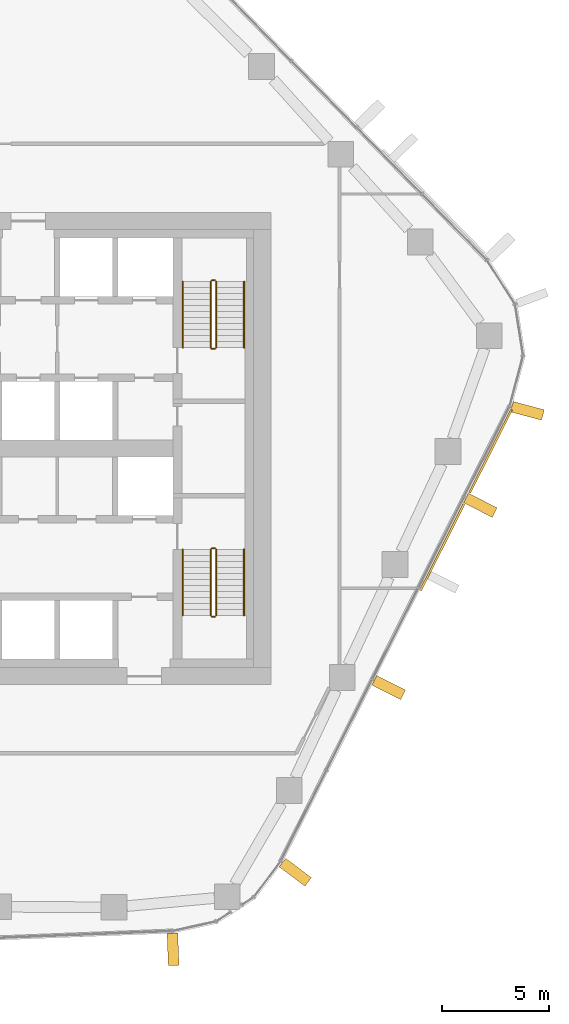
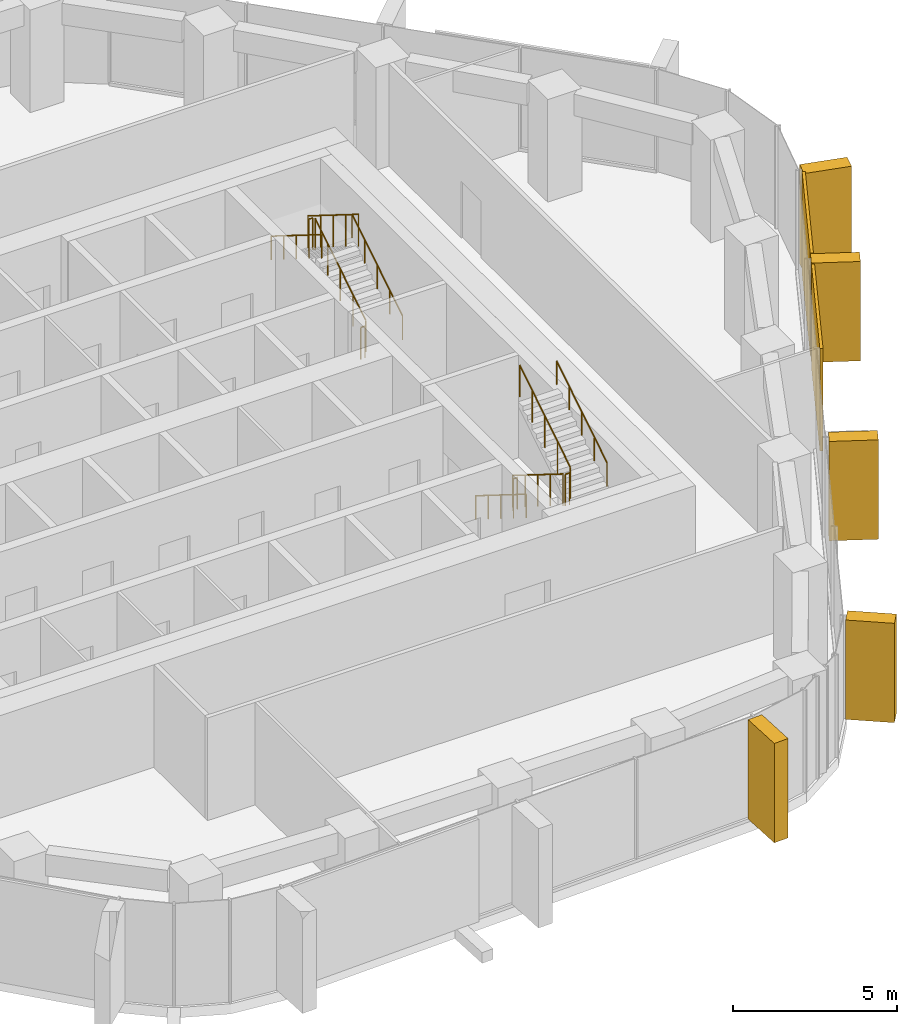
# One storey, part 17 of 18: 12 railings, 7 coverings, 4 elements without a shape of their own.
"""IFC4 building model written with IfcOpenShell, lengths in metres."""

from ifc_helpers import new_model, si_unit, direction, frame, origin, origin_2d, place, context, subcontext, project, spatial, rectangle, circle, extrude, material, layer, layer_set, material_profile, profile_set, type_object, element, aggregate, save


model = new_model("IFC4")

# Units and contexts
model_context = context("Model", 3, precision=1e-05, world=origin(), true_north=direction((0.0, 1.0)))
body_context = subcontext(model_context, "Body", "Model", "MODEL_VIEW")
ifc_project = project(units=[si_unit("LENGTHUNIT", "METRE"), si_unit("AREAUNIT", "SQUARE_METRE"), si_unit("VOLUMEUNIT", "CUBIC_METRE"), si_unit("PLANEANGLEUNIT", "RADIAN"), si_unit("MASSUNIT", "GRAM", prefix="KILO")], contexts=[model_context])

# Site, building, storey
site_placement = place(None, origin())
site = spatial("IfcSite", under=ifc_project, at=site_placement, CompositionType="ELEMENT")
building_placement = place(site_placement, origin())
building = spatial("IfcBuilding", under=site, at=building_placement, Name="Dongbaek Canopy Tower", CompositionType="ELEMENT")
storey_placement = place(building_placement, frame((0.0, 0.0, 203.0)))
storey = spatial("IfcBuildingStorey", under=building, at=storey_placement, Name="L42", CompositionType="ELEMENT", Elevation=203.0)

# Curtain wall, coverings
ifc_material_1 = material(Name="Aluminium 6063-T6 pale anodised", Category="aluminium")
ifc_layer_1 = layer(ifc_material_1, 0.199951171875)
ifc_layer_set_1 = layer_set([ifc_layer_1], Name="CW-1 unitised tower curtain wall")
curtain_wall_type = type_object("IfcCurtainWallType", Name="CW-1 unitised tower curtain wall", PredefinedType="NOTDEFINED", material=ifc_layer_set_1)
curtain_wall_1_placement = place(storey_placement, origin())
curtain_wall_1 = element("IfcCurtainWall", 1, at=curtain_wall_1_placement, inside=storey, type_object=curtain_wall_type, Name="CW-1 curtain wall F5.1", PredefinedType="NOTDEFINED")
ifc_material_2 = material(Name="Perforated aluminium 6063-T6 pale metal screen", Category="aluminium")
ifc_layer_2 = layer(ifc_material_2, 0.10009765625)
ifc_layer_set_2 = layer_set([ifc_layer_2], Name="Facet screen FS1 100 pale metal")
covering_type_1 = type_object("IfcCoveringType", Name="Facet screen FS1 100 pale metal", PredefinedType="CLADDING", material=ifc_layer_set_2)
covering_1_placement = place(storey_placement, frame((21.98681640625, -4.601806640625, 0.0), z_axis=(0.0, 0.0, 1.0), x_axis=(0.449498300694, 0.89328118623, 0.0)))
covering_1 = element("IfcCovering", 2, at=covering_1_placement, type_object=covering_type_1, Name="Facet screen L42 F5", PredefinedType="CLADDING", context=body_context, shape_type="SweptSolid", body=[
    extrude(rectangle(XDim=4.511474609375, YDim=0.10009765625, at=origin_2d()), origin(), (0.0, 0.0, 1.0), 3.820068359375),
])
covering_2_placement = place(storey_placement, frame((24.23583984375, -0.132080078125, 0.0), z_axis=(0.0, 0.0, 1.0), x_axis=(0.449498300694, 0.89328118623, 0.0)))
covering_2 = element("IfcCovering", 3, at=covering_2_placement, type_object=covering_type_1, Name="Facet screen L42 F5", PredefinedType="CLADDING", context=body_context, shape_type="SweptSolid", body=[
    extrude(rectangle(XDim=4.33544921875, YDim=0.10009765625, at=origin_2d()), origin(), (0.0, 0.0, 1.0), 3.820068359375),
])

# Curtain wall, covering
curtain_wall_2_placement = place(storey_placement, origin())
curtain_wall_2 = element("IfcCurtainWall", 4, at=curtain_wall_2_placement, inside=storey, type_object=curtain_wall_type, Name="CW-1 curtain wall K0.1", PredefinedType="NOTDEFINED")
ifc_material_3 = material(Name="Aluminium 6063-T6 pale metal fin", Category="aluminium")
ifc_material_profile = material_profile(ifc_material_3, rectangle(XDim=1.5, YDim=0.5, at=origin_2d()), Name="Fin FN1 500 x 1500 pale metal")
ifc_profile_set = profile_set([ifc_material_profile], Name="Aluminium 6063-T6 pale metal fin")
covering_type_2 = type_object("IfcCoveringType", Name="Fin FN1 500 x 1500 pale metal", PredefinedType="CLADDING", material=ifc_profile_set)
covering_3_placement = place(storey_placement, frame((25.953125, 1.7548828125, 0.1201171875), z_axis=(0.0, 0.0, 1.0), x_axis=(0.966599210412, -0.256292735815, 0.0)))
covering_3 = element("IfcCovering", 5, at=covering_3_placement, type_object=covering_type_2, Name="Fin K0.1.1", PredefinedType="CLADDING", context=body_context, shape_type="SweptSolid", body=[
    extrude(rectangle(XDim=1.5, YDim=0.5, at=origin_2d()), origin(), (0.0, 0.0, 1.0), 3.699951171875),
])
aggregate(curtain_wall_2, [covering_3])

curtain_wall_3_placement = place(storey_placement, origin())
curtain_wall_3 = element("IfcCurtainWall", 6, at=curtain_wall_3_placement, inside=storey, type_object=curtain_wall_type, Name="CW-1 curtain wall F4.1", PredefinedType="NOTDEFINED")
covering_4_placement = place(storey_placement, frame((9.44384765625, -23.331787109375, 0.1201171875), z_axis=(0.0, 0.0, 1.0), x_axis=(0.039275850271, -0.999228406114, 0.0)))
covering_4 = element("IfcCovering", 7, at=covering_4_placement, type_object=covering_type_2, Name="Fin F4.1.5", PredefinedType="CLADDING", context=body_context, shape_type="SweptSolid", body=[
    extrude(rectangle(XDim=1.5, YDim=0.5, at=origin_2d()), origin(), (0.0, 0.0, 1.0), 3.699951171875),
])
aggregate(curtain_wall_3, [covering_4])

curtain_wall_4_placement = place(storey_placement, origin())
curtain_wall_4 = element("IfcCurtainWall", 8, at=curtain_wall_4_placement, inside=storey, type_object=curtain_wall_type, Name="CW-1 curtain wall K5.1b", PredefinedType="NOTDEFINED")
covering_5_placement = place(storey_placement, frame((15.141845703125, -19.740966796875, 0.1201171875), z_axis=(0.0, 0.0, 1.0), x_axis=(0.799847450352, -0.60020334568, 0.0)))
covering_5 = element("IfcCovering", 9, at=covering_5_placement, type_object=covering_type_2, Name="Fin K5.1b.3", PredefinedType="CLADDING", context=body_context, shape_type="SweptSolid", body=[
    extrude(rectangle(XDim=1.5, YDim=0.5, at=origin_2d()), origin(), (0.0, 0.0, 1.0), 3.699951171875),
])
aggregate(curtain_wall_4, [covering_5])

# Covering
covering_6_placement = place(storey_placement, frame((19.488525390625, -11.13232421875, 0.1201171875), z_axis=(0.0, 0.0, 1.0), x_axis=(0.893280880274, -0.449498908716, 0.0)))
covering_6 = element("IfcCovering", 10, at=covering_6_placement, type_object=covering_type_2, Name="Fin F5.1.3", PredefinedType="CLADDING", context=body_context, shape_type="SweptSolid", body=[
    extrude(rectangle(XDim=1.5, YDim=0.5, at=origin_2d()), origin(), (0.0, 0.0, 1.0), 3.699951171875),
])

covering_7_placement = place(storey_placement, frame((23.760009765625, -2.64404296875, 0.1201171875), z_axis=(0.0, 0.0, 1.0), x_axis=(0.893280880274, -0.449498908716, 0.0)))
covering_7 = element("IfcCovering", 11, at=covering_7_placement, type_object=covering_type_2, Name="Fin F5.1.5", PredefinedType="CLADDING", context=body_context, shape_type="SweptSolid", body=[
    extrude(rectangle(XDim=1.5, YDim=0.5, at=origin_2d()), origin(), (0.0, 0.0, 1.0), 3.699951171875),
])

aggregate(curtain_wall_1, [covering_6, covering_7, covering_1, covering_2])

# Railings
ifc_material_4 = material(Name="Stainless steel tube and balusters", Category="steel")
railing_type_1 = type_object("IfcRailingType", Name="Stair guard 1200", PredefinedType="GUARDRAIL", material=ifc_material_4)
railing_1_placement = place(storey_placement, frame((11.449951171875, 4.699951171875, 0.175048828125)))
element("IfcRailing", 12, at=railing_1_placement, inside=storey, type_object=railing_type_1, Name="L42 ST-A stair guard 1", PredefinedType="GUARDRAIL", context=body_context, shape_type="SweptSolid", body=[
    extrude(circle(Radius=0.02392578125, at=origin_2d()), frame((0.0, 0.0, 1.17578125), z_axis=(0.0, 0.847998304005, 0.529998940003), x_axis=(-1.0, 0.0, 0.0)), (0.0, 0.0, 1.0), 3.632080078125),
    extrude(circle(Radius=0.02099609375, at=origin_2d()), origin(), (0.0, 0.0, 1.0), 1.15185546875),
    extrude(circle(Radius=0.02099609375, at=origin_2d()), frame((0.0, 0.77001953125, 0.481201171875)), (0.0, 0.0, 1.0), 1.15185546875),
    extrude(circle(Radius=0.02099609375, at=origin_2d()), frame((0.0, 1.5400390625, 0.96240234375)), (0.0, 0.0, 1.0), 1.15185546875),
    extrude(circle(Radius=0.02099609375, at=origin_2d()), frame((0.0, 2.31005859375, 1.44384765625)), (0.0, 0.0, 1.0), 1.15185546875),
    extrude(circle(Radius=0.02099609375, at=origin_2d()), frame((0.0, 3.080078125, 1.925048828125)), (0.0, 0.0, 1.0), 1.15185546875),
])
railing_2_placement = place(storey_placement, frame((11.39990234375, 7.830078125, 2.10009765625)))
element("IfcRailing", 13, at=railing_2_placement, inside=storey, type_object=railing_type_1, Name="L42 ST-A stair guard 2", PredefinedType="GUARDRAIL", context=body_context, shape_type="SweptSolid", body=[
    extrude(circle(Radius=0.02392578125, at=origin_2d()), frame((0.0, 0.0, 1.17578125), z_axis=(-1.0, 0.0, 0.0), x_axis=(0.0, -1.0, 0.0)), (0.0, 0.0, 1.0), 0.14990234375),
    extrude(circle(Radius=0.02099609375, at=origin_2d()), origin(), (0.0, 0.0, 1.0), 1.15185546875),
    extrude(circle(Radius=0.02099609375, at=origin_2d()), frame((-0.14990234375, 0.0, 0.0)), (0.0, 0.0, 1.0), 1.15185546875),
])
railing_3_placement = place(storey_placement, frame((11.199951171875, 7.780029296875, 2.27490234375)))
element("IfcRailing", 14, at=railing_3_placement, inside=storey, type_object=railing_type_1, Name="L42 ST-A stair guard 3", PredefinedType="GUARDRAIL", context=body_context, shape_type="SweptSolid", body=[
    extrude(circle(Radius=0.02392578125, at=origin_2d()), frame((0.0, 0.0, 1.17578125), z_axis=(0.0, -0.847998304005, 0.529998940003), x_axis=(1.0, 0.0, 0.0)), (0.0, 0.0, 1.0), 3.632080078125),
    extrude(circle(Radius=0.02099609375, at=origin_2d()), origin(), (0.0, 0.0, 1.0), 1.15185546875),
    extrude(circle(Radius=0.02099609375, at=origin_2d()), frame((0.0, -0.77001953125, 0.481201171875)), (0.0, 0.0, 1.0), 1.15185546875),
    extrude(circle(Radius=0.02099609375, at=origin_2d()), frame((0.0, -1.5400390625, 0.96240234375)), (0.0, 0.0, 1.0), 1.15185546875),
    extrude(circle(Radius=0.02099609375, at=origin_2d()), frame((0.0, -2.31005859375, 1.44384765625)), (0.0, 0.0, 1.0), 1.15185546875),
    extrude(circle(Radius=0.02099609375, at=origin_2d()), frame((0.0, -3.080078125, 1.925048828125)), (0.0, 0.0, 1.0), 1.15185546875),
])
railing_4_placement = place(storey_placement, frame((11.39990234375, 4.64990234375, 0.0)))
element("IfcRailing", 15, at=railing_4_placement, inside=storey, type_object=railing_type_1, Name="L42 ST-A stair guard 4", PredefinedType="GUARDRAIL", context=body_context, shape_type="SweptSolid", body=[
    extrude(circle(Radius=0.02392578125, at=origin_2d()), frame((0.0, 0.0, 1.17578125), z_axis=(-1.0, 0.0, 0.0), x_axis=(0.0, -1.0, 0.0)), (0.0, 0.0, 1.0), 0.14990234375),
    extrude(circle(Radius=0.02099609375, at=origin_2d()), origin(), (0.0, 0.0, 1.0), 1.15185546875),
    extrude(circle(Radius=0.02099609375, at=origin_2d()), frame((-0.14990234375, 0.0, 0.0)), (0.0, 0.0, 1.0), 1.15185546875),
])
railing_5_placement = place(storey_placement, frame((11.199951171875, -4.699951171875, 0.175048828125)))
element("IfcRailing", 16, at=railing_5_placement, inside=storey, type_object=railing_type_1, Name="L42 ST-B stair guard 1", PredefinedType="GUARDRAIL", context=body_context, shape_type="SweptSolid", body=[
    extrude(circle(Radius=0.02392578125, at=origin_2d()), frame((0.0, 0.0, 1.17578125), z_axis=(0.0, -0.847998304005, 0.529998940003), x_axis=(1.0, 0.0, 0.0)), (0.0, 0.0, 1.0), 3.632080078125),
    extrude(circle(Radius=0.02099609375, at=origin_2d()), origin(), (0.0, 0.0, 1.0), 1.15185546875),
    extrude(circle(Radius=0.02099609375, at=origin_2d()), frame((0.0, -0.77001953125, 0.481201171875)), (0.0, 0.0, 1.0), 1.15185546875),
    extrude(circle(Radius=0.02099609375, at=origin_2d()), frame((0.0, -1.5400390625, 0.96240234375)), (0.0, 0.0, 1.0), 1.15185546875),
    extrude(circle(Radius=0.02099609375, at=origin_2d()), frame((0.0, -2.31005859375, 1.44384765625)), (0.0, 0.0, 1.0), 1.15185546875),
    extrude(circle(Radius=0.02099609375, at=origin_2d()), frame((0.0, -3.080078125, 1.925048828125)), (0.0, 0.0, 1.0), 1.15185546875),
])
railing_6_placement = place(storey_placement, frame((11.25, -7.830078125, 2.10009765625)))
element("IfcRailing", 17, at=railing_6_placement, inside=storey, type_object=railing_type_1, Name="L42 ST-B stair guard 2", PredefinedType="GUARDRAIL", context=body_context, shape_type="SweptSolid", body=[
    extrude(circle(Radius=0.02392578125, at=origin_2d()), frame((0.0, 0.0, 1.17578125), z_axis=(1.0, 0.0, 0.0), x_axis=(0.0, 1.0, 0.0)), (0.0, 0.0, 1.0), 0.14990234375),
    extrude(circle(Radius=0.02099609375, at=origin_2d()), origin(), (0.0, 0.0, 1.0), 1.15185546875),
    extrude(circle(Radius=0.02099609375, at=origin_2d()), frame((0.14990234375, 0.0, 0.0)), (0.0, 0.0, 1.0), 1.15185546875),
])
railing_7_placement = place(storey_placement, frame((11.449951171875, -7.780029296875, 2.27490234375)))
element("IfcRailing", 18, at=railing_7_placement, inside=storey, type_object=railing_type_1, Name="L42 ST-B stair guard 3", PredefinedType="GUARDRAIL", context=body_context, shape_type="SweptSolid", body=[
    extrude(circle(Radius=0.02392578125, at=origin_2d()), frame((0.0, 0.0, 1.17578125), z_axis=(0.0, 0.847998304005, 0.529998940003), x_axis=(-1.0, 0.0, 0.0)), (0.0, 0.0, 1.0), 3.632080078125),
    extrude(circle(Radius=0.02099609375, at=origin_2d()), origin(), (0.0, 0.0, 1.0), 1.15185546875),
    extrude(circle(Radius=0.02099609375, at=origin_2d()), frame((0.0, 0.77001953125, 0.481201171875)), (0.0, 0.0, 1.0), 1.15185546875),
    extrude(circle(Radius=0.02099609375, at=origin_2d()), frame((0.0, 1.5400390625, 0.96240234375)), (0.0, 0.0, 1.0), 1.15185546875),
    extrude(circle(Radius=0.02099609375, at=origin_2d()), frame((0.0, 2.31005859375, 1.44384765625)), (0.0, 0.0, 1.0), 1.15185546875),
    extrude(circle(Radius=0.02099609375, at=origin_2d()), frame((0.0, 3.080078125, 1.925048828125)), (0.0, 0.0, 1.0), 1.15185546875),
])
railing_8_placement = place(storey_placement, frame((11.25, -4.64990234375, 0.0)))
element("IfcRailing", 19, at=railing_8_placement, inside=storey, type_object=railing_type_1, Name="L42 ST-B stair guard 4", PredefinedType="GUARDRAIL", context=body_context, shape_type="SweptSolid", body=[
    extrude(circle(Radius=0.02392578125, at=origin_2d()), frame((0.0, 0.0, 1.17578125), z_axis=(1.0, 0.0, 0.0), x_axis=(0.0, 1.0, 0.0)), (0.0, 0.0, 1.0), 0.14990234375),
    extrude(circle(Radius=0.02099609375, at=origin_2d()), origin(), (0.0, 0.0, 1.0), 1.15185546875),
    extrude(circle(Radius=0.02099609375, at=origin_2d()), frame((0.14990234375, 0.0, 0.0)), (0.0, 0.0, 1.0), 1.15185546875),
])
ifc_material_5 = material(Name="Stainless steel tube", Category="steel")
railing_type_2 = type_object("IfcRailingType", Name="Stair handrail 900", PredefinedType="HANDRAIL", material=ifc_material_5)
railing_9_placement = place(storey_placement, frame((12.75, 4.699951171875, 0.175048828125)))
element("IfcRailing", 20, at=railing_9_placement, inside=storey, type_object=railing_type_2, Name="L42 ST-A stair handrail 1", PredefinedType="HANDRAIL", context=body_context, shape_type="SweptSolid", body=[
    extrude(circle(Radius=0.02392578125, at=origin_2d()), frame((0.0, 0.0, 0.8759765625), z_axis=(0.0, 0.847998304005, 0.529998940003), x_axis=(-1.0, 0.0, 0.0)), (0.0, 0.0, 1.0), 3.632080078125),
    extrude(circle(Radius=0.02099609375, at=origin_2d()), origin(), (0.0, 0.0, 1.0), 0.851806640625),
    extrude(circle(Radius=0.02099609375, at=origin_2d()), frame((0.0, 0.77001953125, 0.481201171875)), (0.0, 0.0, 1.0), 0.851806640625),
    extrude(circle(Radius=0.02099609375, at=origin_2d()), frame((0.0, 1.5400390625, 0.96240234375)), (0.0, 0.0, 1.0), 0.851806640625),
    extrude(circle(Radius=0.02099609375, at=origin_2d()), frame((0.0, 2.31005859375, 1.44384765625)), (0.0, 0.0, 1.0), 0.851806640625),
    extrude(circle(Radius=0.02099609375, at=origin_2d()), frame((0.0, 3.080078125, 1.925048828125)), (0.0, 0.0, 1.0), 0.851806640625),
])
for number, where, name in (
    (21, (9.89990234375, 7.780029296875, 2.27490234375), "L42 ST-A stair handrail 2"),
    (22, (9.89990234375, -4.699951171875, 0.175048828125), "L42 ST-B stair handrail 1"),
):
    element("IfcRailing", number, at=place(storey_placement, frame(where)), inside=storey, type_object=railing_type_2, Name=name, PredefinedType="HANDRAIL", context=body_context, shape_type="SweptSolid", body=[
        extrude(circle(Radius=0.02392578125, at=origin_2d()), frame((0.0, 0.0, 0.8759765625), z_axis=(0.0, -0.847998304005, 0.529998940003), x_axis=(1.0, 0.0, 0.0)), (0.0, 0.0, 1.0), 3.632080078125),
        extrude(circle(Radius=0.02099609375, at=origin_2d()), origin(), (0.0, 0.0, 1.0), 0.851806640625),
        extrude(circle(Radius=0.02099609375, at=origin_2d()), frame((0.0, -0.77001953125, 0.481201171875)), (0.0, 0.0, 1.0), 0.851806640625),
        extrude(circle(Radius=0.02099609375, at=origin_2d()), frame((0.0, -1.5400390625, 0.96240234375)), (0.0, 0.0, 1.0), 0.851806640625),
        extrude(circle(Radius=0.02099609375, at=origin_2d()), frame((0.0, -2.31005859375, 1.44384765625)), (0.0, 0.0, 1.0), 0.851806640625),
        extrude(circle(Radius=0.02099609375, at=origin_2d()), frame((0.0, -3.080078125, 1.925048828125)), (0.0, 0.0, 1.0), 0.851806640625),
    ])
railing_10_placement = place(storey_placement, frame((12.75, -7.780029296875, 2.27490234375)))
element("IfcRailing", 23, at=railing_10_placement, inside=storey, type_object=railing_type_2, Name="L42 ST-B stair handrail 2", PredefinedType="HANDRAIL", context=body_context, shape_type="SweptSolid", body=[
    extrude(circle(Radius=0.02392578125, at=origin_2d()), frame((0.0, 0.0, 0.8759765625), z_axis=(0.0, 0.847998304005, 0.529998940003), x_axis=(-1.0, 0.0, 0.0)), (0.0, 0.0, 1.0), 3.632080078125),
    extrude(circle(Radius=0.02099609375, at=origin_2d()), origin(), (0.0, 0.0, 1.0), 0.851806640625),
    extrude(circle(Radius=0.02099609375, at=origin_2d()), frame((0.0, 0.77001953125, 0.481201171875)), (0.0, 0.0, 1.0), 0.851806640625),
    extrude(circle(Radius=0.02099609375, at=origin_2d()), frame((0.0, 1.5400390625, 0.96240234375)), (0.0, 0.0, 1.0), 0.851806640625),
    extrude(circle(Radius=0.02099609375, at=origin_2d()), frame((0.0, 2.31005859375, 1.44384765625)), (0.0, 0.0, 1.0), 0.851806640625),
    extrude(circle(Radius=0.02099609375, at=origin_2d()), frame((0.0, 3.080078125, 1.925048828125)), (0.0, 0.0, 1.0), 0.851806640625),
])

save(model, "model.ifc")
